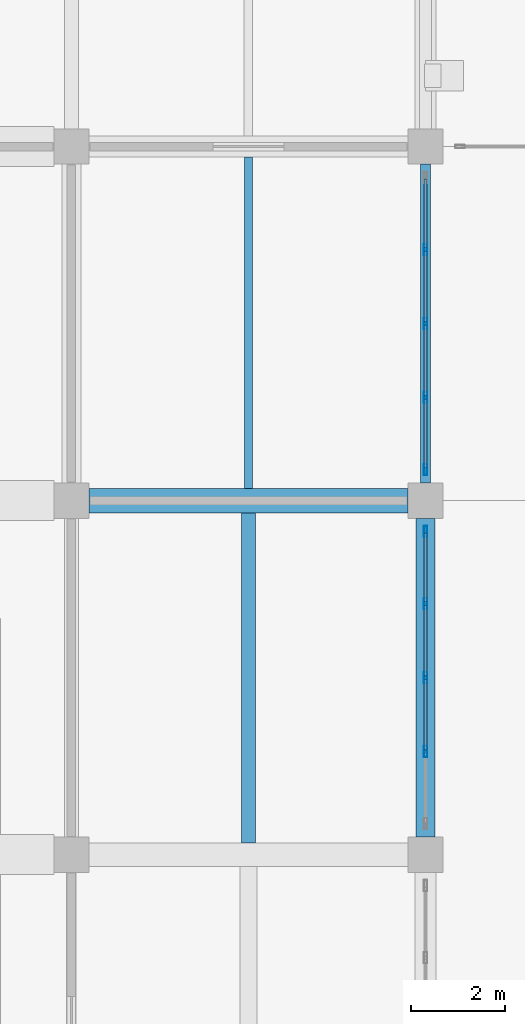
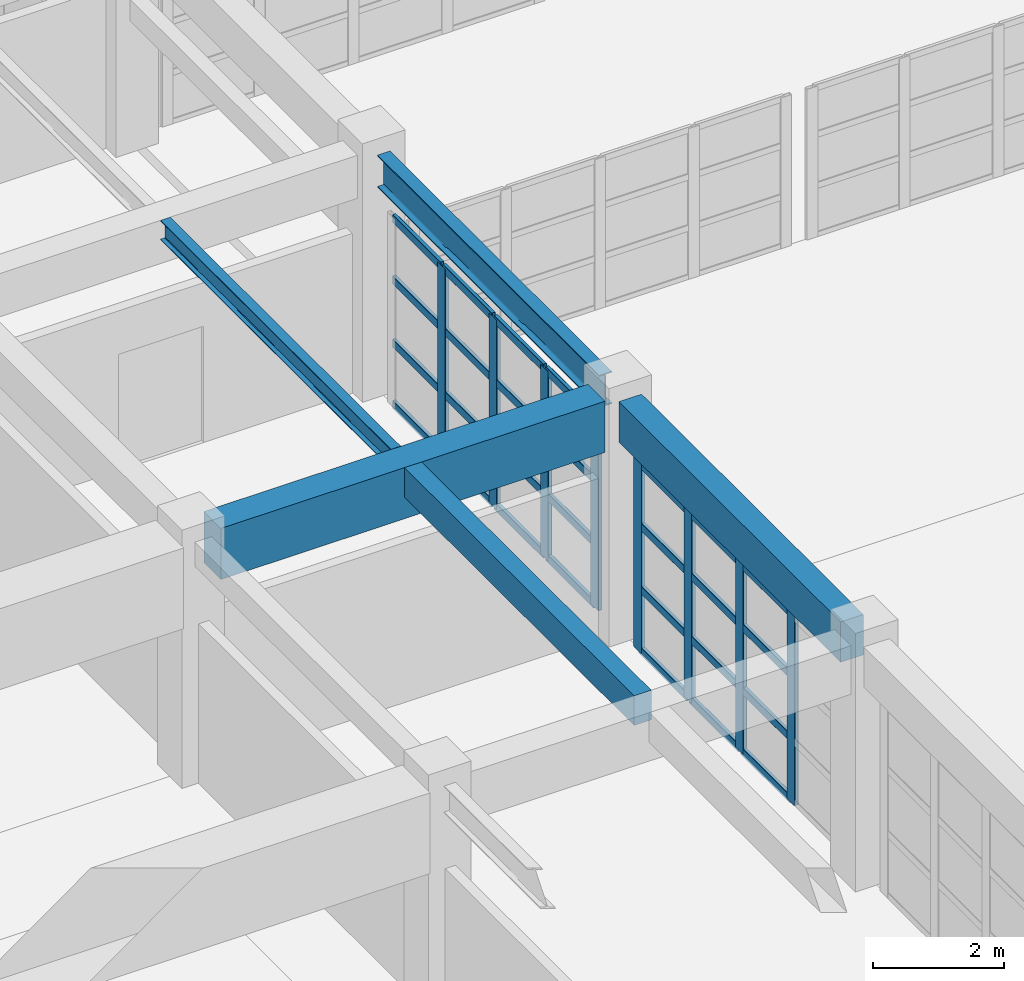
# One storey, part 9 of 122: 36 members, 5 beams, 2 elements without a shape of their own.
"""IFC4 building model written with IfcOpenShell, lengths in metres."""

import ifcopenshell
import ifcopenshell.guid

model = None  # the IFC model being written
_history = None  # IfcOwnerHistory: only IFC2X3 demands one
_inside = {}  # id of a spatial element -> (the spatial element, [elements in it])
_under = {}  # id of a project, library or spatial element -> (it, [spatial elements below it])
_declared = {}  # id of a project -> (the project, [libraries it declares])
_typed = {}  # id of a type object -> (the type object, [elements of that type])
_made_of = {}  # id of a material, layer set ... -> (it, [elements and type objects made of it])


def new_model(schema):
    """Start an empty IFC model of exactly this schema.

    Asked for "IFC4X3", IfcOpenShell would pick the latest addendum, in which some entities
    have other attributes; the version numbers below select the first issue.
    IFC2X3 requires an IfcOwnerHistory on every rooted entity: one is made here for all.
    """
    global model, _history
    if schema == "IFC4X3":
        model = ifcopenshell.file(schema_version=(4, 3, 0, 0))
    else:
        model = ifcopenshell.file(schema=schema)
    _inside.clear()
    _under.clear()
    _declared.clear()
    _typed.clear()
    _made_of.clear()
    _history = None
    if model.schema == "IFC2X3":
        org = make("IfcOrganization", Name="unknown")
        user = make(
            "IfcPersonAndOrganization",
            ThePerson=make("IfcPerson", FamilyName="unknown"),
            TheOrganization=org,
        )
        app = make(
            "IfcApplication",
            ApplicationDeveloper=org,
            Version="unknown",
            ApplicationFullName="unknown",
            ApplicationIdentifier="unknown",
        )
        _history = make(
            "IfcOwnerHistory",
            OwningUser=user,
            OwningApplication=app,
            ChangeAction="ADDED",
            CreationDate=0,
        )
    return model


def make(cls, **values):
    """One entity of the class cls with the attributes given. An attribute that is None is left unset."""
    return model.create_entity(
        cls, **{name: value for name, value in values.items() if value is not None}
    )


def rooted(cls, **values):
    """An entity with a GlobalId (a new one), such as an element, a storey or a relation."""
    return make(cls, GlobalId=ifcopenshell.guid.new(), OwnerHistory=_history, **values)


def si_unit(unit_type, name, prefix=None):
    """IfcSIUnit, for example si_unit("LENGTHUNIT", "METRE", prefix="MILLI")."""
    return make("IfcSIUnit", UnitType=unit_type, Prefix=prefix, Name=name)


def assignment(units):
    """IfcUnitAssignment: the units of a project."""
    return None if units is None else make("IfcUnitAssignment", Units=units)


def point(xyz):
    """IfcCartesianPoint."""
    return None if xyz is None else make("IfcCartesianPoint", Coordinates=xyz)


def direction(xyz):
    """IfcDirection."""
    return None if xyz is None else make("IfcDirection", DirectionRatios=xyz)


def frame(location, z_axis=None, x_axis=None):
    """IfcAxis2Placement3D, a coordinate frame: its origin and axes. An axis left out is left unset."""
    return make(
        "IfcAxis2Placement3D",
        Location=point(location),
        Axis=direction(z_axis),
        RefDirection=direction(x_axis),
    )


def frame_2d(location, x_axis=None):
    """IfcAxis2Placement2D, a coordinate frame in the plane: its origin and x axis."""
    return make(
        "IfcAxis2Placement2D", Location=point(location), RefDirection=direction(x_axis)
    )


def origin():
    """The frame at (0, 0, 0) with its axes left unset."""
    return frame((0.0, 0.0, 0.0))


def origin_2d():
    """The frame at (0, 0) in the plane with its x axis left unset."""
    return frame_2d((0.0, 0.0))


def place(relative_to, where):
    """IfcLocalPlacement: puts the frame where relative to a parent placement (None: the world)."""
    return make(
        "IfcLocalPlacement", PlacementRelTo=relative_to, RelativePlacement=where
    )


def context(
    kind, dimensions, precision=None, world=None, true_north=None, identifier=None
):
    """IfcGeometricRepresentationContext, for example the 3D "Model" context."""
    return make(
        "IfcGeometricRepresentationContext",
        ContextIdentifier=identifier,
        ContextType=kind,
        CoordinateSpaceDimension=dimensions,
        Precision=precision,
        WorldCoordinateSystem=world,
        TrueNorth=true_north,
    )


def subcontext(parent, identifier, kind, view, scale=None):
    """IfcGeometricRepresentationSubContext, for example "Body" below "Model"."""
    return make(
        "IfcGeometricRepresentationSubContext",
        ContextIdentifier=identifier,
        ContextType=kind,
        ParentContext=parent,
        TargetScale=scale,
        TargetView=view,
    )


def project(units=None, contexts=None):
    """IfcProject with its units and contexts."""
    return rooted(
        "IfcProject",
        Name="project",
        RepresentationContexts=contexts,
        UnitsInContext=assignment(units),
    )


def spatial(cls, under=None, at=None, **own):
    """A site, building, storey or space (cls), placed at a placement, below another one or the project."""
    s = rooted(cls, ObjectPlacement=at, **own)
    if under is not None:
        _under.setdefault(under.id(), (under, []))[1].append(s)
    return s


def profile(cls, at=None, kind="AREA", **sizes):
    """A parametric profile (cls). Its sizes go by their IFC names, for example OverallWidth=200.0."""
    return make(cls, ProfileType=kind, Position=at, **sizes)


def rectangle(**sizes):
    """IfcRectangleProfileDef."""
    return profile("IfcRectangleProfileDef", **sizes)


def hollow_rectangle(**sizes):
    """IfcRectangleHollowProfileDef."""
    return profile("IfcRectangleHollowProfileDef", **sizes)


def i_section(**sizes):
    """IfcIShapeProfileDef."""
    return profile("IfcIShapeProfileDef", **sizes)


def extrude(swept, where, along, depth):
    """IfcExtrudedAreaSolid: the profile swept, set in the frame where, extruded along a direction by depth."""
    return make(
        "IfcExtrudedAreaSolid",
        SweptArea=swept,
        Position=where,
        ExtrudedDirection=direction(along),
        Depth=depth,
    )


def shape(context_of_items, identifier, shape_type, items):
    """IfcShapeRepresentation: the items that make up one representation, for example the "Body"."""
    return make(
        "IfcShapeRepresentation",
        ContextOfItems=context_of_items,
        RepresentationIdentifier=identifier,
        RepresentationType=shape_type,
        Items=items,
    )


def material(Name=None, Category=None):
    """IfcMaterial."""
    return make("IfcMaterial", Name=Name, Category=Category)


def material_profile(
    of_material, cross_section, Name=None, Category=None, Priority=None
):
    """IfcMaterialProfile: a cross section and its material."""
    return make(
        "IfcMaterialProfile",
        Name=Name,
        Material=of_material,
        Profile=cross_section,
        Priority=Priority,
        Category=Category,
    )


def profile_set(profiles, Name=None, composite=None):
    """IfcMaterialProfileSet."""
    return make(
        "IfcMaterialProfileSet",
        Name=Name,
        MaterialProfiles=profiles,
        CompositeProfile=composite,
    )


def made_of(thing, what):
    """Note that an element or type object is made of a material, layer set ...; save() writes the relation."""
    if what is not None:
        _made_of.setdefault(what.id(), (what, []))[1].append(thing)
    return thing


def type_object(cls, material=None, **own):
    """A type object (cls), such as IfcWallType, which elements share."""
    return made_of(rooted(cls, **own), material)


def element(
    cls,
    number,
    at=None,
    inside=None,
    cuts=None,
    type_object=None,
    material=None,
    context=None,
    identifier="Body",
    shape_type=None,
    held_by="IfcProductDefinitionShape",
    body=None,
    shapes=None,
    **own,
):
    """One element of the class cls, such as IfcWall. Its Tag is "e" and its number.

    at: its placement. inside: the storey or other place that contains it. cuts: it is an
    opening in that element (IfcRelVoidsElement). A single representation is given by context,
    identifier, shape_type and body (its items); several are given by shapes. held_by: the class
    of the entity that holds the representations. save() writes the other relations.
    """
    e = rooted(cls, Tag="e%d" % number, ObjectPlacement=at, **own)
    if body is not None:
        shapes = [shape(context, identifier, shape_type, body)]
    if shapes is not None:
        e.Representation = make(held_by, Representations=shapes)
    if inside is not None:
        _inside.setdefault(inside.id(), (inside, []))[1].append(e)
    if cuts is not None:
        rooted(
            "IfcRelVoidsElement", RelatingBuildingElement=cuts, RelatedOpeningElement=e
        )
    if type_object is not None:
        _typed.setdefault(type_object.id(), (type_object, []))[1].append(e)
    return made_of(e, material)


def aggregate(whole, parts):
    """IfcRelAggregates: a whole, such as a stair, and the parts it consists of."""
    return rooted("IfcRelAggregates", RelatingObject=whole, RelatedObjects=parts)


def save(model, path):
    """Write the relations noted so far, then the file.

    IfcRelAggregates (storeys below a building ...), IfcRelContainedInSpatialStructure (elements
    in a storey), IfcRelDefinesByType, IfcRelAssociatesMaterial and IfcRelDeclares: one each for
    every whole, place, type object, material and project.
    """
    for whole, parts in _under.values():
        aggregate(whole, parts)
    for where, things in _inside.values():
        rooted(
            "IfcRelContainedInSpatialStructure",
            RelatedElements=things,
            RelatingStructure=where,
        )
    for kind, things in _typed.values():
        rooted("IfcRelDefinesByType", RelatedObjects=things, RelatingType=kind)
    for what, things in _made_of.values():
        rooted("IfcRelAssociatesMaterial", RelatedObjects=things, RelatingMaterial=what)
    for by, libraries in _declared.values():
        rooted("IfcRelDeclares", RelatingContext=by, RelatedDefinitions=libraries)
    model.write(path)


model = new_model("IFC4")

# Units and contexts
model_context = context("Model", 3, precision=1e-05, world=origin(), true_north=direction((0.0, 1.0)))
body_context = subcontext(model_context, "Body", "Model", "MODEL_VIEW")
ifc_project = project(units=[si_unit("LENGTHUNIT", "METRE"), si_unit("AREAUNIT", "SQUARE_METRE"), si_unit("VOLUMEUNIT", "CUBIC_METRE"), si_unit("PLANEANGLEUNIT", "RADIAN"), si_unit("MASSUNIT", "GRAM", prefix="KILO")], contexts=[model_context])

# Site, building, storey
site_placement = place(None, origin())
site = spatial("IfcSite", under=ifc_project, at=site_placement, CompositionType="ELEMENT")
building_placement = place(site_placement, origin())
building = spatial("IfcBuilding", under=site, at=building_placement, Name="Qasida Concert Hall", CompositionType="ELEMENT")
storey_placement = place(building_placement, origin())
storey = spatial("IfcBuildingStorey", under=building, at=storey_placement, Name="L00", CompositionType="ELEMENT", Elevation=0.0)

# Beams
ifc_material_1 = material(Name="Concrete C40/50", Category="concrete")
ifc_material_profile_1 = material_profile(ifc_material_1, rectangle(XDim=0.52001953125, YDim=0.949951171875, at=origin_2d()), Name="RC 520x950")
ifc_profile_set_1 = profile_set([ifc_material_profile_1], Name="Concrete C40/50")
beam_type_1 = type_object("IfcBeamType", Name="BM-G7", PredefinedType="USERDEFINED", material=ifc_profile_set_1)
beam_1_placement = place(storey_placement, frame((30.375, 22.5, 4.02490234375), z_axis=(1.0, 0.0, 0.0), x_axis=(0.0, 1.0, 0.0)))
element("IfcBeam", 1, at=beam_1_placement, inside=storey, type_object=beam_type_1, Name="Primary girder 0519", ObjectType="GIRDER", PredefinedType="USERDEFINED", context=body_context, shape_type="SweptSolid", body=[
    extrude(rectangle(XDim=0.52001953125, YDim=0.949951171875, at=origin_2d()), origin(), (0.0, 0.0, 1.0), 6.75),
])
ifc_material_profile_2 = material_profile(ifc_material_1, rectangle(XDim=0.300048828125, YDim=0.550048828125, at=origin_2d()), Name="RC 300x550")
ifc_profile_set_2 = profile_set([ifc_material_profile_2], Name="Concrete C40/50")
beam_type_2 = type_object("IfcBeamType", Name="BM-J1", PredefinedType="JOIST", material=ifc_profile_set_2)
beam_2_placement = place(storey_placement, frame((33.75, 15.25, 4.22509765625), z_axis=(0.0, 1.0, 0.0), x_axis=(-1.0, 0.0, 0.0)))
element("IfcBeam", 2, at=beam_2_placement, inside=storey, type_object=beam_type_2, Name="L00 secondary joist 0584", PredefinedType="JOIST", context=body_context, shape_type="SweptSolid", body=[
    extrude(rectangle(XDim=0.300048828125, YDim=0.550048828125, at=origin_2d()), origin(), (0.0, 0.0, 1.0), 6.989990234375),
])
ifc_material_2 = material(Name="Steel S355J2", Category="steel")
ifc_material_profile_3 = material_profile(ifc_material_2, i_section(OverallWidth=0.169921875, OverallDepth=0.360107421875, WebThickness=0.008056640625, FlangeThickness=0.0126953125, FilletRadius=0.01806640625, at=origin_2d()), Name="IPE 360")
ifc_profile_set_3 = profile_set([ifc_material_profile_3], Name="Steel S355J2")
beam_type_3 = type_object("IfcBeamType", Name="BM-J2", PredefinedType="JOIST", material=ifc_profile_set_3)
beam_3_placement = place(storey_placement, frame((33.75, 22.760009765625, 4.320068359375), z_axis=(0.0, 1.0, 0.0), x_axis=(-1.0, 0.0, 0.0)))
element("IfcBeam", 3, at=beam_3_placement, inside=storey, type_object=beam_type_3, Name="L00 secondary joist 0585", PredefinedType="JOIST", context=body_context, shape_type="SweptSolid", body=[
    extrude(i_section(OverallWidth=0.169921875, OverallDepth=0.360107421875, WebThickness=0.008056640625, FlangeThickness=0.0126953125, FilletRadius=0.01806640625, at=origin_2d()), origin(), (0.0, 0.0, 1.0), 7.014892578125),
])
ifc_material_profile_4 = material_profile(ifc_material_1, rectangle(XDim=0.39990234375, YDim=0.75, at=origin_2d()), Name="RC 400x750")
ifc_profile_set_4 = profile_set([ifc_material_profile_4], Name="Concrete C40/50")
beam_type_4 = type_object("IfcBeamType", Name="BM-SP1", PredefinedType="SPANDREL", material=ifc_profile_set_4)
beam_4_placement = place(storey_placement, frame((37.5, 15.375, 4.125), z_axis=(0.0, 1.0, 0.0), x_axis=(-1.0, 0.0, 0.0)))
element("IfcBeam", 4, at=beam_4_placement, inside=storey, type_object=beam_type_4, Name="L00 girder 0555", PredefinedType="SPANDREL", context=body_context, shape_type="SweptSolid", body=[
    extrude(rectangle(XDim=0.39990234375, YDim=0.75, at=origin_2d()), origin(), (0.0, 0.0, 1.0), 6.75),
])
ifc_material_profile_5 = material_profile(ifc_material_2, i_section(OverallWidth=0.219970703125, OverallDepth=0.60009765625, WebThickness=0.011962890625, FlangeThickness=0.01904296875, FilletRadius=0.02392578125, at=origin_2d()), Name="IPE 600")
ifc_profile_set_5 = profile_set([ifc_material_profile_5], Name="Steel S355J2")
beam_type_5 = type_object("IfcBeamType", Name="BM-SP3", PredefinedType="SPANDREL", material=ifc_profile_set_5)
beam_5_placement = place(storey_placement, frame((37.5, 22.875, 4.199951171875), z_axis=(0.0, 1.0, 0.0), x_axis=(-1.0, 0.0, 0.0)))
element("IfcBeam", 5, at=beam_5_placement, inside=storey, type_object=beam_type_5, Name="L00 girder 0556", PredefinedType="SPANDREL", context=body_context, shape_type="SweptSolid", body=[
    extrude(i_section(OverallWidth=0.219970703125, OverallDepth=0.60009765625, WebThickness=0.011962890625, FlangeThickness=0.01904296875, FilletRadius=0.02392578125, at=origin_2d()), origin(), (0.0, 0.0, 1.0), 6.75),
])

# Curtain wall, members
ifc_material_3 = material(Name="Architectural bronze-anodized aluminium and low-E glass", Category="aluminium")
curtain_wall_type = type_object("IfcCurtainWallType", Name="CW-06", PredefinedType="NOTDEFINED", material=ifc_material_3)
curtain_wall_1_placement = place(storey_placement, origin())
curtain_wall_1 = element("IfcCurtainWall", 6, at=curtain_wall_1_placement, inside=storey, type_object=curtain_wall_type, Name="L00 curtain wall CW-06 0076", PredefinedType="NOTDEFINED")
ifc_material_4 = material(Name="Architectural bronze-anodized aluminium EN AW-6063", Category="aluminium")
ifc_material_profile_6 = material_profile(ifc_material_4, hollow_rectangle(XDim=0.070068359375, YDim=0.239990234375, WallThickness=0.0048828125, InnerFilletRadius=0.0048828125, OuterFilletRadius=0.010009765625, at=origin_2d()), Name="CWM 240x70x5")
ifc_profile_set_6 = profile_set([ifc_material_profile_6], Name="Architectural bronze-anodized aluminium EN AW-6063")
member_type_1 = type_object("IfcMemberType", Name="MB-CWM-1", PredefinedType="MULLION", material=ifc_profile_set_6)
member_1_placement = place(storey_placement, frame((37.5, 17.18505859375, 0.0), z_axis=(0.0, 0.0, 1.0), x_axis=(-1.0, 0.0, 0.0)))
member_1 = element("IfcMember", 7, at=member_1_placement, type_object=member_type_1, Name="CW-06 mullion 2", PredefinedType="MULLION", context=body_context, shape_type="SweptSolid", body=[
    extrude(hollow_rectangle(XDim=0.070068359375, YDim=0.239990234375, WallThickness=0.0048828125, InnerFilletRadius=0.0048828125, OuterFilletRadius=0.010009765625, at=origin_2d()), origin(), (0.0, 0.0, 1.0), 3.52001953125),
])
member_2_placement = place(storey_placement, frame((37.5, 18.75, 0.0), z_axis=(0.0, 0.0, 1.0), x_axis=(-1.0, 0.0, 0.0)))
member_2 = element("IfcMember", 8, at=member_2_placement, type_object=member_type_1, Name="CW-06 mullion 3", PredefinedType="MULLION", context=body_context, shape_type="SweptSolid", body=[
    extrude(hollow_rectangle(XDim=0.070068359375, YDim=0.239990234375, WallThickness=0.0048828125, InnerFilletRadius=0.0048828125, OuterFilletRadius=0.010009765625, at=origin_2d()), origin(), (0.0, 0.0, 1.0), 3.52001953125),
])
member_3_placement = place(storey_placement, frame((37.5, 20.31494140625, 0.0), z_axis=(0.0, 0.0, 1.0), x_axis=(-1.0, 0.0, 0.0)))
member_3 = element("IfcMember", 9, at=member_3_placement, type_object=member_type_1, Name="CW-06 mullion 4", PredefinedType="MULLION", context=body_context, shape_type="SweptSolid", body=[
    extrude(hollow_rectangle(XDim=0.070068359375, YDim=0.239990234375, WallThickness=0.0048828125, InnerFilletRadius=0.0048828125, OuterFilletRadius=0.010009765625, at=origin_2d()), origin(), (0.0, 0.0, 1.0), 3.52001953125),
])
member_4_placement = place(storey_placement, frame((37.5, 21.844970703125, 0.0), z_axis=(0.0, 0.0, 1.0), x_axis=(-1.0, 0.0, 0.0)))
member_4 = element("IfcMember", 10, at=member_4_placement, type_object=member_type_1, Name="CW-06 mullion 5", PredefinedType="MULLION", context=body_context, shape_type="SweptSolid", body=[
    extrude(hollow_rectangle(XDim=0.070068359375, YDim=0.239990234375, WallThickness=0.0048828125, InnerFilletRadius=0.0048828125, OuterFilletRadius=0.010009765625, at=origin_2d()), origin(), (0.0, 0.0, 1.0), 3.52001953125),
])

curtain_wall_2_placement = place(storey_placement, origin())
curtain_wall_2 = element("IfcCurtainWall", 11, at=curtain_wall_2_placement, inside=storey, type_object=curtain_wall_type, Name="L00 curtain wall CW-06 0077", PredefinedType="NOTDEFINED")
member_5_placement = place(storey_placement, frame((37.5, 23.155029296875, 0.0), z_axis=(0.0, 0.0, 1.0), x_axis=(-1.0, 0.0, 0.0)))
member_5 = element("IfcMember", 12, at=member_5_placement, type_object=member_type_1, Name="CW-06 mullion 1", PredefinedType="MULLION", context=body_context, shape_type="SweptSolid", body=[
    extrude(hollow_rectangle(XDim=0.070068359375, YDim=0.239990234375, WallThickness=0.0048828125, InnerFilletRadius=0.0048828125, OuterFilletRadius=0.010009765625, at=origin_2d()), origin(), (0.0, 0.0, 1.0), 3.52001953125),
])
member_6_placement = place(storey_placement, frame((37.5, 24.68505859375, 0.0), z_axis=(0.0, 0.0, 1.0), x_axis=(-1.0, 0.0, 0.0)))
member_6 = element("IfcMember", 13, at=member_6_placement, type_object=member_type_1, Name="CW-06 mullion 2", PredefinedType="MULLION", context=body_context, shape_type="SweptSolid", body=[
    extrude(hollow_rectangle(XDim=0.070068359375, YDim=0.239990234375, WallThickness=0.0048828125, InnerFilletRadius=0.0048828125, OuterFilletRadius=0.010009765625, at=origin_2d()), origin(), (0.0, 0.0, 1.0), 3.52001953125),
])
member_7_placement = place(storey_placement, frame((37.5, 26.25, 0.0), z_axis=(0.0, 0.0, 1.0), x_axis=(-1.0, 0.0, 0.0)))
member_7 = element("IfcMember", 14, at=member_7_placement, type_object=member_type_1, Name="CW-06 mullion 3", PredefinedType="MULLION", context=body_context, shape_type="SweptSolid", body=[
    extrude(hollow_rectangle(XDim=0.070068359375, YDim=0.239990234375, WallThickness=0.0048828125, InnerFilletRadius=0.0048828125, OuterFilletRadius=0.010009765625, at=origin_2d()), origin(), (0.0, 0.0, 1.0), 3.52001953125),
])
member_8_placement = place(storey_placement, frame((37.5, 27.81494140625, 0.0), z_axis=(0.0, 0.0, 1.0), x_axis=(-1.0, 0.0, 0.0)))
member_8 = element("IfcMember", 15, at=member_8_placement, type_object=member_type_1, Name="CW-06 mullion 4", PredefinedType="MULLION", context=body_context, shape_type="SweptSolid", body=[
    extrude(hollow_rectangle(XDim=0.070068359375, YDim=0.239990234375, WallThickness=0.0048828125, InnerFilletRadius=0.0048828125, OuterFilletRadius=0.010009765625, at=origin_2d()), origin(), (0.0, 0.0, 1.0), 3.52001953125),
])

# Member
ifc_material_profile_7 = material_profile(ifc_material_4, hollow_rectangle(XDim=0.06494140625, YDim=0.14990234375, WallThickness=0.00390625, InnerFilletRadius=0.00390625, OuterFilletRadius=0.008056640625, at=origin_2d()), Name="CWT 150x65x4")
ifc_profile_set_7 = profile_set([ifc_material_profile_7], Name="Architectural bronze-anodized aluminium EN AW-6063")
member_type_2 = type_object("IfcMemberType", Name="MB-CWT-1", PredefinedType="USERDEFINED", material=ifc_profile_set_7)
member_9_placement = place(storey_placement, frame((37.5, 17.219970703125, 0.032470703125), z_axis=(0.0, 1.0, 0.0), x_axis=(-1.0, 0.0, 0.0)))
member_9 = element("IfcMember", 16, at=member_9_placement, type_object=member_type_2, Name="CW-06 transom 2.1", ObjectType="TRANSOM", PredefinedType="USERDEFINED", context=body_context, shape_type="SweptSolid", body=[
    extrude(hollow_rectangle(XDim=0.06494140625, YDim=0.14990234375, WallThickness=0.00390625, InnerFilletRadius=0.00390625, OuterFilletRadius=0.008056640625, at=origin_2d()), origin(), (0.0, 0.0, 1.0), 1.4951171875),
])

member_10_placement = place(storey_placement, frame((37.5, 17.219970703125, 1.17333984375), z_axis=(0.0, 1.0, 0.0), x_axis=(-1.0, 0.0, 0.0)))
member_10 = element("IfcMember", 17, at=member_10_placement, type_object=member_type_2, Name="CW-06 transom 2.2", ObjectType="TRANSOM", PredefinedType="USERDEFINED", context=body_context, shape_type="SweptSolid", body=[
    extrude(hollow_rectangle(XDim=0.06494140625, YDim=0.14990234375, WallThickness=0.00390625, InnerFilletRadius=0.00390625, OuterFilletRadius=0.008056640625, at=origin_2d()), origin(), (0.0, 0.0, 1.0), 1.4951171875),
])

member_11_placement = place(storey_placement, frame((37.5, 17.219970703125, 2.3466796875), z_axis=(0.0, 1.0, 0.0), x_axis=(-1.0, 0.0, 0.0)))
member_11 = element("IfcMember", 18, at=member_11_placement, type_object=member_type_2, Name="CW-06 transom 2.3", ObjectType="TRANSOM", PredefinedType="USERDEFINED", context=body_context, shape_type="SweptSolid", body=[
    extrude(hollow_rectangle(XDim=0.06494140625, YDim=0.14990234375, WallThickness=0.00390625, InnerFilletRadius=0.00390625, OuterFilletRadius=0.008056640625, at=origin_2d()), origin(), (0.0, 0.0, 1.0), 1.4951171875),
])

member_12_placement = place(storey_placement, frame((37.5, 17.219970703125, 3.487548828125), z_axis=(0.0, 1.0, 0.0), x_axis=(-1.0, 0.0, 0.0)))
member_12 = element("IfcMember", 19, at=member_12_placement, type_object=member_type_2, Name="CW-06 transom 2.4", ObjectType="TRANSOM", PredefinedType="USERDEFINED", context=body_context, shape_type="SweptSolid", body=[
    extrude(hollow_rectangle(XDim=0.06494140625, YDim=0.14990234375, WallThickness=0.00390625, InnerFilletRadius=0.00390625, OuterFilletRadius=0.008056640625, at=origin_2d()), origin(), (0.0, 0.0, 1.0), 1.4951171875),
])

member_13_placement = place(storey_placement, frame((37.5, 18.784912109375, 0.032470703125), z_axis=(0.0, 1.0, 0.0), x_axis=(-1.0, 0.0, 0.0)))
member_13 = element("IfcMember", 20, at=member_13_placement, type_object=member_type_2, Name="CW-06 transom 3.1", ObjectType="TRANSOM", PredefinedType="USERDEFINED", context=body_context, shape_type="SweptSolid", body=[
    extrude(hollow_rectangle(XDim=0.06494140625, YDim=0.14990234375, WallThickness=0.00390625, InnerFilletRadius=0.00390625, OuterFilletRadius=0.008056640625, at=origin_2d()), origin(), (0.0, 0.0, 1.0), 1.4951171875),
])

member_14_placement = place(storey_placement, frame((37.5, 18.784912109375, 1.17333984375), z_axis=(0.0, 1.0, 0.0), x_axis=(-1.0, 0.0, 0.0)))
member_14 = element("IfcMember", 21, at=member_14_placement, type_object=member_type_2, Name="CW-06 transom 3.2", ObjectType="TRANSOM", PredefinedType="USERDEFINED", context=body_context, shape_type="SweptSolid", body=[
    extrude(hollow_rectangle(XDim=0.06494140625, YDim=0.14990234375, WallThickness=0.00390625, InnerFilletRadius=0.00390625, OuterFilletRadius=0.008056640625, at=origin_2d()), origin(), (0.0, 0.0, 1.0), 1.4951171875),
])

member_15_placement = place(storey_placement, frame((37.5, 18.784912109375, 2.3466796875), z_axis=(0.0, 1.0, 0.0), x_axis=(-1.0, 0.0, 0.0)))
member_15 = element("IfcMember", 22, at=member_15_placement, type_object=member_type_2, Name="CW-06 transom 3.3", ObjectType="TRANSOM", PredefinedType="USERDEFINED", context=body_context, shape_type="SweptSolid", body=[
    extrude(hollow_rectangle(XDim=0.06494140625, YDim=0.14990234375, WallThickness=0.00390625, InnerFilletRadius=0.00390625, OuterFilletRadius=0.008056640625, at=origin_2d()), origin(), (0.0, 0.0, 1.0), 1.4951171875),
])

member_16_placement = place(storey_placement, frame((37.5, 18.784912109375, 3.487548828125), z_axis=(0.0, 1.0, 0.0), x_axis=(-1.0, 0.0, 0.0)))
member_16 = element("IfcMember", 23, at=member_16_placement, type_object=member_type_2, Name="CW-06 transom 3.4", ObjectType="TRANSOM", PredefinedType="USERDEFINED", context=body_context, shape_type="SweptSolid", body=[
    extrude(hollow_rectangle(XDim=0.06494140625, YDim=0.14990234375, WallThickness=0.00390625, InnerFilletRadius=0.00390625, OuterFilletRadius=0.008056640625, at=origin_2d()), origin(), (0.0, 0.0, 1.0), 1.4951171875),
])

member_17_placement = place(storey_placement, frame((37.5, 20.35009765625, 0.032470703125), z_axis=(0.0, 1.0, 0.0), x_axis=(-1.0, 0.0, 0.0)))
member_17 = element("IfcMember", 24, at=member_17_placement, type_object=member_type_2, Name="CW-06 transom 4.1", ObjectType="TRANSOM", PredefinedType="USERDEFINED", context=body_context, shape_type="SweptSolid", body=[
    extrude(hollow_rectangle(XDim=0.06494140625, YDim=0.14990234375, WallThickness=0.00390625, InnerFilletRadius=0.00390625, OuterFilletRadius=0.008056640625, at=origin_2d()), origin(), (0.0, 0.0, 1.0), 1.4599609375),
])

member_18_placement = place(storey_placement, frame((37.5, 20.35009765625, 1.17333984375), z_axis=(0.0, 1.0, 0.0), x_axis=(-1.0, 0.0, 0.0)))
member_18 = element("IfcMember", 25, at=member_18_placement, type_object=member_type_2, Name="CW-06 transom 4.2", ObjectType="TRANSOM", PredefinedType="USERDEFINED", context=body_context, shape_type="SweptSolid", body=[
    extrude(hollow_rectangle(XDim=0.06494140625, YDim=0.14990234375, WallThickness=0.00390625, InnerFilletRadius=0.00390625, OuterFilletRadius=0.008056640625, at=origin_2d()), origin(), (0.0, 0.0, 1.0), 1.4599609375),
])

member_19_placement = place(storey_placement, frame((37.5, 20.35009765625, 2.3466796875), z_axis=(0.0, 1.0, 0.0), x_axis=(-1.0, 0.0, 0.0)))
member_19 = element("IfcMember", 26, at=member_19_placement, type_object=member_type_2, Name="CW-06 transom 4.3", ObjectType="TRANSOM", PredefinedType="USERDEFINED", context=body_context, shape_type="SweptSolid", body=[
    extrude(hollow_rectangle(XDim=0.06494140625, YDim=0.14990234375, WallThickness=0.00390625, InnerFilletRadius=0.00390625, OuterFilletRadius=0.008056640625, at=origin_2d()), origin(), (0.0, 0.0, 1.0), 1.4599609375),
])

member_20_placement = place(storey_placement, frame((37.5, 20.35009765625, 3.487548828125), z_axis=(0.0, 1.0, 0.0), x_axis=(-1.0, 0.0, 0.0)))
member_20 = element("IfcMember", 27, at=member_20_placement, type_object=member_type_2, Name="CW-06 transom 4.4", ObjectType="TRANSOM", PredefinedType="USERDEFINED", context=body_context, shape_type="SweptSolid", body=[
    extrude(hollow_rectangle(XDim=0.06494140625, YDim=0.14990234375, WallThickness=0.00390625, InnerFilletRadius=0.00390625, OuterFilletRadius=0.008056640625, at=origin_2d()), origin(), (0.0, 0.0, 1.0), 1.4599609375),
])

aggregate(curtain_wall_1, [member_1, member_2, member_3, member_4, member_9, member_10, member_11, member_12, member_13, member_14, member_15, member_16, member_17, member_18, member_19, member_20])

member_21_placement = place(storey_placement, frame((37.5, 23.18994140625, 0.032470703125), z_axis=(0.0, 1.0, 0.0), x_axis=(-1.0, 0.0, 0.0)))
member_21 = element("IfcMember", 28, at=member_21_placement, type_object=member_type_2, Name="CW-06 transom 1.1", ObjectType="TRANSOM", PredefinedType="USERDEFINED", context=body_context, shape_type="SweptSolid", body=[
    extrude(hollow_rectangle(XDim=0.06494140625, YDim=0.14990234375, WallThickness=0.00390625, InnerFilletRadius=0.00390625, OuterFilletRadius=0.008056640625, at=origin_2d()), origin(), (0.0, 0.0, 1.0), 1.4599609375),
])

member_22_placement = place(storey_placement, frame((37.5, 23.18994140625, 1.17333984375), z_axis=(0.0, 1.0, 0.0), x_axis=(-1.0, 0.0, 0.0)))
member_22 = element("IfcMember", 29, at=member_22_placement, type_object=member_type_2, Name="CW-06 transom 1.2", ObjectType="TRANSOM", PredefinedType="USERDEFINED", context=body_context, shape_type="SweptSolid", body=[
    extrude(hollow_rectangle(XDim=0.06494140625, YDim=0.14990234375, WallThickness=0.00390625, InnerFilletRadius=0.00390625, OuterFilletRadius=0.008056640625, at=origin_2d()), origin(), (0.0, 0.0, 1.0), 1.4599609375),
])

member_23_placement = place(storey_placement, frame((37.5, 23.18994140625, 2.3466796875), z_axis=(0.0, 1.0, 0.0), x_axis=(-1.0, 0.0, 0.0)))
member_23 = element("IfcMember", 30, at=member_23_placement, type_object=member_type_2, Name="CW-06 transom 1.3", ObjectType="TRANSOM", PredefinedType="USERDEFINED", context=body_context, shape_type="SweptSolid", body=[
    extrude(hollow_rectangle(XDim=0.06494140625, YDim=0.14990234375, WallThickness=0.00390625, InnerFilletRadius=0.00390625, OuterFilletRadius=0.008056640625, at=origin_2d()), origin(), (0.0, 0.0, 1.0), 1.4599609375),
])

member_24_placement = place(storey_placement, frame((37.5, 23.18994140625, 3.487548828125), z_axis=(0.0, 1.0, 0.0), x_axis=(-1.0, 0.0, 0.0)))
member_24 = element("IfcMember", 31, at=member_24_placement, type_object=member_type_2, Name="CW-06 transom 1.4", ObjectType="TRANSOM", PredefinedType="USERDEFINED", context=body_context, shape_type="SweptSolid", body=[
    extrude(hollow_rectangle(XDim=0.06494140625, YDim=0.14990234375, WallThickness=0.00390625, InnerFilletRadius=0.00390625, OuterFilletRadius=0.008056640625, at=origin_2d()), origin(), (0.0, 0.0, 1.0), 1.4599609375),
])

member_25_placement = place(storey_placement, frame((37.5, 24.719970703125, 0.032470703125), z_axis=(0.0, 1.0, 0.0), x_axis=(-1.0, 0.0, 0.0)))
member_25 = element("IfcMember", 32, at=member_25_placement, type_object=member_type_2, Name="CW-06 transom 2.1", ObjectType="TRANSOM", PredefinedType="USERDEFINED", context=body_context, shape_type="SweptSolid", body=[
    extrude(hollow_rectangle(XDim=0.06494140625, YDim=0.14990234375, WallThickness=0.00390625, InnerFilletRadius=0.00390625, OuterFilletRadius=0.008056640625, at=origin_2d()), origin(), (0.0, 0.0, 1.0), 1.4951171875),
])

member_26_placement = place(storey_placement, frame((37.5, 24.719970703125, 1.17333984375), z_axis=(0.0, 1.0, 0.0), x_axis=(-1.0, 0.0, 0.0)))
member_26 = element("IfcMember", 33, at=member_26_placement, type_object=member_type_2, Name="CW-06 transom 2.2", ObjectType="TRANSOM", PredefinedType="USERDEFINED", context=body_context, shape_type="SweptSolid", body=[
    extrude(hollow_rectangle(XDim=0.06494140625, YDim=0.14990234375, WallThickness=0.00390625, InnerFilletRadius=0.00390625, OuterFilletRadius=0.008056640625, at=origin_2d()), origin(), (0.0, 0.0, 1.0), 1.4951171875),
])

member_27_placement = place(storey_placement, frame((37.5, 24.719970703125, 2.3466796875), z_axis=(0.0, 1.0, 0.0), x_axis=(-1.0, 0.0, 0.0)))
member_27 = element("IfcMember", 34, at=member_27_placement, type_object=member_type_2, Name="CW-06 transom 2.3", ObjectType="TRANSOM", PredefinedType="USERDEFINED", context=body_context, shape_type="SweptSolid", body=[
    extrude(hollow_rectangle(XDim=0.06494140625, YDim=0.14990234375, WallThickness=0.00390625, InnerFilletRadius=0.00390625, OuterFilletRadius=0.008056640625, at=origin_2d()), origin(), (0.0, 0.0, 1.0), 1.4951171875),
])

member_28_placement = place(storey_placement, frame((37.5, 24.719970703125, 3.487548828125), z_axis=(0.0, 1.0, 0.0), x_axis=(-1.0, 0.0, 0.0)))
member_28 = element("IfcMember", 35, at=member_28_placement, type_object=member_type_2, Name="CW-06 transom 2.4", ObjectType="TRANSOM", PredefinedType="USERDEFINED", context=body_context, shape_type="SweptSolid", body=[
    extrude(hollow_rectangle(XDim=0.06494140625, YDim=0.14990234375, WallThickness=0.00390625, InnerFilletRadius=0.00390625, OuterFilletRadius=0.008056640625, at=origin_2d()), origin(), (0.0, 0.0, 1.0), 1.4951171875),
])

member_29_placement = place(storey_placement, frame((37.5, 26.284912109375, 0.032470703125), z_axis=(0.0, 1.0, 0.0), x_axis=(-1.0, 0.0, 0.0)))
member_29 = element("IfcMember", 36, at=member_29_placement, type_object=member_type_2, Name="CW-06 transom 3.1", ObjectType="TRANSOM", PredefinedType="USERDEFINED", context=body_context, shape_type="SweptSolid", body=[
    extrude(hollow_rectangle(XDim=0.06494140625, YDim=0.14990234375, WallThickness=0.00390625, InnerFilletRadius=0.00390625, OuterFilletRadius=0.008056640625, at=origin_2d()), origin(), (0.0, 0.0, 1.0), 1.4951171875),
])

member_30_placement = place(storey_placement, frame((37.5, 26.284912109375, 1.17333984375), z_axis=(0.0, 1.0, 0.0), x_axis=(-1.0, 0.0, 0.0)))
member_30 = element("IfcMember", 37, at=member_30_placement, type_object=member_type_2, Name="CW-06 transom 3.2", ObjectType="TRANSOM", PredefinedType="USERDEFINED", context=body_context, shape_type="SweptSolid", body=[
    extrude(hollow_rectangle(XDim=0.06494140625, YDim=0.14990234375, WallThickness=0.00390625, InnerFilletRadius=0.00390625, OuterFilletRadius=0.008056640625, at=origin_2d()), origin(), (0.0, 0.0, 1.0), 1.4951171875),
])

member_31_placement = place(storey_placement, frame((37.5, 26.284912109375, 2.3466796875), z_axis=(0.0, 1.0, 0.0), x_axis=(-1.0, 0.0, 0.0)))
member_31 = element("IfcMember", 38, at=member_31_placement, type_object=member_type_2, Name="CW-06 transom 3.3", ObjectType="TRANSOM", PredefinedType="USERDEFINED", context=body_context, shape_type="SweptSolid", body=[
    extrude(hollow_rectangle(XDim=0.06494140625, YDim=0.14990234375, WallThickness=0.00390625, InnerFilletRadius=0.00390625, OuterFilletRadius=0.008056640625, at=origin_2d()), origin(), (0.0, 0.0, 1.0), 1.4951171875),
])

member_32_placement = place(storey_placement, frame((37.5, 26.284912109375, 3.487548828125), z_axis=(0.0, 1.0, 0.0), x_axis=(-1.0, 0.0, 0.0)))
member_32 = element("IfcMember", 39, at=member_32_placement, type_object=member_type_2, Name="CW-06 transom 3.4", ObjectType="TRANSOM", PredefinedType="USERDEFINED", context=body_context, shape_type="SweptSolid", body=[
    extrude(hollow_rectangle(XDim=0.06494140625, YDim=0.14990234375, WallThickness=0.00390625, InnerFilletRadius=0.00390625, OuterFilletRadius=0.008056640625, at=origin_2d()), origin(), (0.0, 0.0, 1.0), 1.4951171875),
])

member_33_placement = place(storey_placement, frame((37.5, 27.85009765625, 0.032470703125), z_axis=(0.0, 1.0, 0.0), x_axis=(-1.0, 0.0, 0.0)))
member_33 = element("IfcMember", 40, at=member_33_placement, type_object=member_type_2, Name="CW-06 transom 4.1", ObjectType="TRANSOM", PredefinedType="USERDEFINED", context=body_context, shape_type="SweptSolid", body=[
    extrude(hollow_rectangle(XDim=0.06494140625, YDim=0.14990234375, WallThickness=0.00390625, InnerFilletRadius=0.00390625, OuterFilletRadius=0.008056640625, at=origin_2d()), origin(), (0.0, 0.0, 1.0), 1.4599609375),
])

member_34_placement = place(storey_placement, frame((37.5, 27.85009765625, 1.17333984375), z_axis=(0.0, 1.0, 0.0), x_axis=(-1.0, 0.0, 0.0)))
member_34 = element("IfcMember", 41, at=member_34_placement, type_object=member_type_2, Name="CW-06 transom 4.2", ObjectType="TRANSOM", PredefinedType="USERDEFINED", context=body_context, shape_type="SweptSolid", body=[
    extrude(hollow_rectangle(XDim=0.06494140625, YDim=0.14990234375, WallThickness=0.00390625, InnerFilletRadius=0.00390625, OuterFilletRadius=0.008056640625, at=origin_2d()), origin(), (0.0, 0.0, 1.0), 1.4599609375),
])

member_35_placement = place(storey_placement, frame((37.5, 27.85009765625, 2.3466796875), z_axis=(0.0, 1.0, 0.0), x_axis=(-1.0, 0.0, 0.0)))
member_35 = element("IfcMember", 42, at=member_35_placement, type_object=member_type_2, Name="CW-06 transom 4.3", ObjectType="TRANSOM", PredefinedType="USERDEFINED", context=body_context, shape_type="SweptSolid", body=[
    extrude(hollow_rectangle(XDim=0.06494140625, YDim=0.14990234375, WallThickness=0.00390625, InnerFilletRadius=0.00390625, OuterFilletRadius=0.008056640625, at=origin_2d()), origin(), (0.0, 0.0, 1.0), 1.4599609375),
])

member_36_placement = place(storey_placement, frame((37.5, 27.85009765625, 3.487548828125), z_axis=(0.0, 1.0, 0.0), x_axis=(-1.0, 0.0, 0.0)))
member_36 = element("IfcMember", 43, at=member_36_placement, type_object=member_type_2, Name="CW-06 transom 4.4", ObjectType="TRANSOM", PredefinedType="USERDEFINED", context=body_context, shape_type="SweptSolid", body=[
    extrude(hollow_rectangle(XDim=0.06494140625, YDim=0.14990234375, WallThickness=0.00390625, InnerFilletRadius=0.00390625, OuterFilletRadius=0.008056640625, at=origin_2d()), origin(), (0.0, 0.0, 1.0), 1.4599609375),
])

aggregate(curtain_wall_2, [member_5, member_6, member_7, member_8, member_21, member_22, member_23, member_24, member_25, member_26, member_27, member_28, member_29, member_30, member_31, member_32, member_33, member_34, member_35, member_36])

save(model, "model.ifc")
